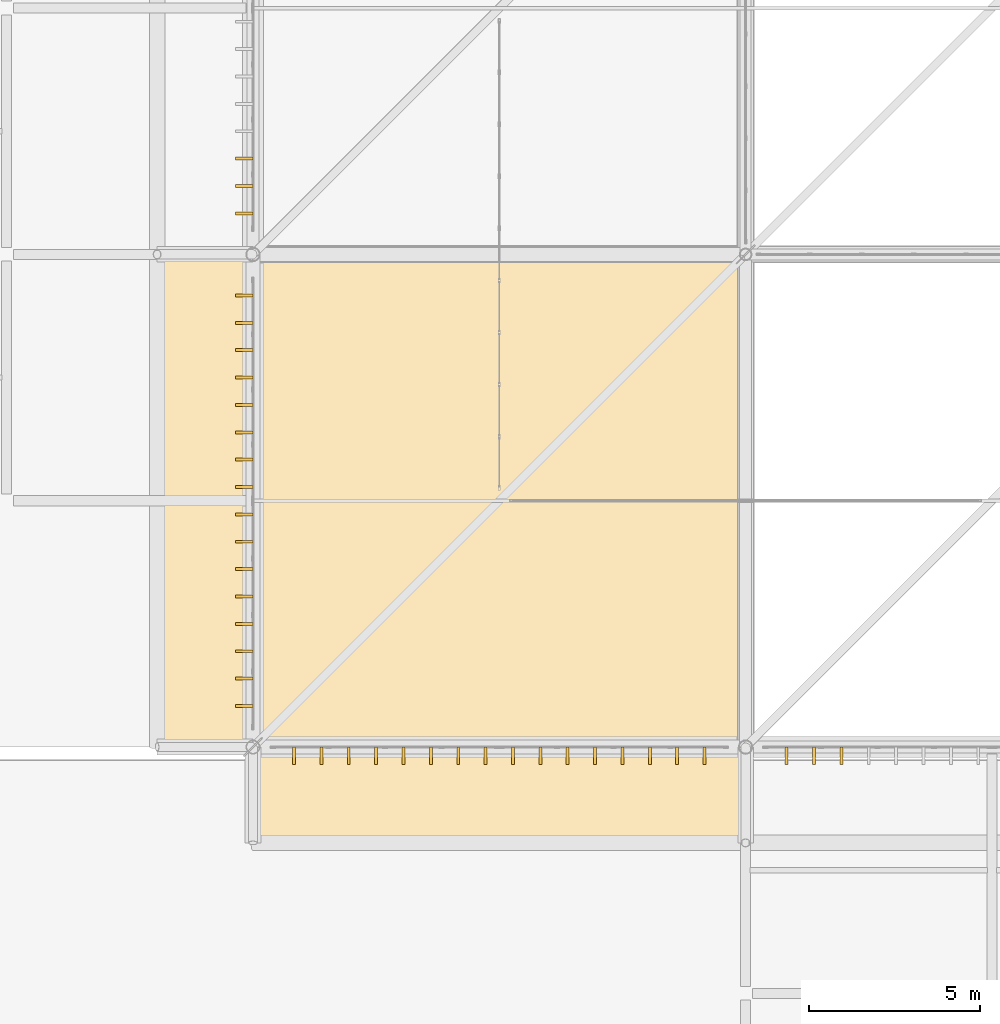
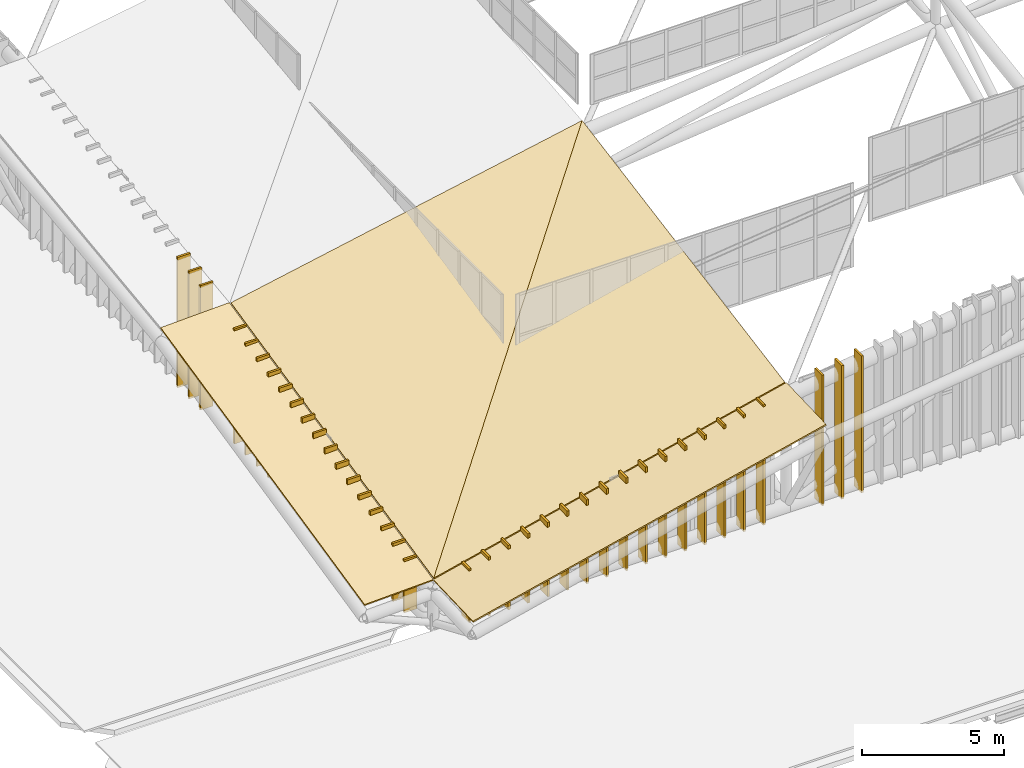
# One storey, part 385 of 397: 42 coverings.
"""IFC4 building model written with IfcOpenShell, lengths in metres."""

from ifc_helpers import new_model, si_unit, direction, frame, origin, origin_2d, place, context, subcontext, project, spatial, polyline, rectangle, outline, extrude, material, layer, layer_set, type_object, element, save


model = new_model("IFC4")

# Units and contexts
model_context = context("Model", 3, precision=1e-05, world=origin(), true_north=direction((0.0, 1.0)))
body_context = subcontext(model_context, "Body", "Model", "MODEL_VIEW")
ifc_project = project(units=[si_unit("LENGTHUNIT", "METRE"), si_unit("AREAUNIT", "SQUARE_METRE"), si_unit("VOLUMEUNIT", "CUBIC_METRE"), si_unit("PLANEANGLEUNIT", "RADIAN"), si_unit("MASSUNIT", "GRAM", prefix="KILO")], contexts=[model_context])

# Site, building, storey
site_placement = place(None, origin())
site = spatial("IfcSite", under=ifc_project, at=site_placement, CompositionType="ELEMENT")
building_placement = place(site_placement, origin())
building = spatial("IfcBuilding", under=site, at=building_placement, Name="Qandorah Velis Arena", CompositionType="ELEMENT")
storey_placement = place(building_placement, frame((0.0, 0.0, 27.5)))
storey = spatial("IfcBuildingStorey", under=building, at=storey_placement, Name="RF", CompositionType="ELEMENT", Elevation=27.5)

# Coverings
ifc_material_1 = material(Name="Champagne-bronze anodized aluminium 6063-T6", Category="aluminium")
ifc_layer_1 = layer(ifc_material_1, 0.0849609375)
ifc_layer_set_1 = layer_set([ifc_layer_1], Name="Champagne-bronze anodized aluminium 6063-T6")
covering_type_1 = type_object("IfcCoveringType", Name="ARC-COV-FIN520", PredefinedType="CLADDING", material=ifc_layer_set_1)
covering_1_placement = place(storey_placement, frame((14.14501953125, 15.60009765625, -0.01025390625), z_axis=(0.0, 0.0, 1.0), x_axis=(1.0, 0.0, 0.0)))
element("IfcCovering", 1, at=covering_1_placement, inside=storey, type_object=covering_type_1, Name="Arched crown champagne-bronze solar fin 1.1.1", PredefinedType="CLADDING", context=body_context, shape_type="SweptSolid", body=[
    extrude(rectangle(XDim=0.52001953125, YDim=0.0849609375, at=origin_2d()), origin(), (0.0, 0.0, 1.0), 2.290283203125),
])
covering_2_placement = place(storey_placement, frame((14.14501953125, 16.39990234375, -0.010009765625), z_axis=(0.0, 0.0, 1.0), x_axis=(1.0, 0.0, 0.0)))
element("IfcCovering", 2, at=covering_2_placement, inside=storey, type_object=covering_type_1, Name="Arched crown champagne-bronze solar fin 1.1.2", PredefinedType="CLADDING", context=body_context, shape_type="SweptSolid", body=[
    extrude(rectangle(XDim=0.52001953125, YDim=0.0849609375, at=origin_2d()), origin(), (0.0, 0.0, 1.0), 2.50341796875),
])
covering_3_placement = place(storey_placement, frame((14.14501953125, 17.199951171875, -0.009765625), z_axis=(0.0, 0.0, 1.0), x_axis=(1.0, 0.0, 0.0)))
element("IfcCovering", 3, at=covering_3_placement, inside=storey, type_object=covering_type_1, Name="Arched crown champagne-bronze solar fin 1.1.3", PredefinedType="CLADDING", context=body_context, shape_type="SweptSolid", body=[
    extrude(rectangle(XDim=0.52001953125, YDim=0.0849609375, at=origin_2d()), origin(), (0.0, 0.0, 1.0), 2.711181640625),
])
covering_4_placement = place(storey_placement, frame((14.14501953125, 18.0, -0.009765625), z_axis=(0.0, 0.0, 1.0), x_axis=(1.0, 0.0, 0.0)))
element("IfcCovering", 4, at=covering_4_placement, inside=storey, type_object=covering_type_1, Name="Arched crown champagne-bronze solar fin 1.1.4", PredefinedType="CLADDING", context=body_context, shape_type="SweptSolid", body=[
    extrude(rectangle(XDim=0.52001953125, YDim=0.0849609375, at=origin_2d()), origin(), (0.0, 0.0, 1.0), 2.913818359375),
])
covering_5_placement = place(storey_placement, frame((14.14501953125, 18.800048828125, -0.01025390625), z_axis=(0.0, 0.0, 1.0), x_axis=(1.0, 0.0, 0.0)))
element("IfcCovering", 5, at=covering_5_placement, inside=storey, type_object=covering_type_1, Name="Arched crown champagne-bronze solar fin 1.1.5", PredefinedType="CLADDING", context=body_context, shape_type="SweptSolid", body=[
    extrude(rectangle(XDim=0.52001953125, YDim=0.0849609375, at=origin_2d()), origin(), (0.0, 0.0, 1.0), 3.111083984375),
])
covering_6_placement = place(storey_placement, frame((14.14501953125, 19.60009765625, -0.010009765625), z_axis=(0.0, 0.0, 1.0), x_axis=(1.0, 0.0, 0.0)))
element("IfcCovering", 6, at=covering_6_placement, inside=storey, type_object=covering_type_1, Name="Arched crown champagne-bronze solar fin 1.1.6", PredefinedType="CLADDING", context=body_context, shape_type="SweptSolid", body=[
    extrude(rectangle(XDim=0.52001953125, YDim=0.0849609375, at=origin_2d()), origin(), (0.0, 0.0, 1.0), 3.30322265625),
])
covering_7_placement = place(storey_placement, frame((14.14501953125, 20.39990234375, -0.01025390625), z_axis=(0.0, 0.0, 1.0), x_axis=(1.0, 0.0, 0.0)))
element("IfcCovering", 7, at=covering_7_placement, inside=storey, type_object=covering_type_1, Name="Arched crown champagne-bronze solar fin 1.1.7", PredefinedType="CLADDING", context=body_context, shape_type="SweptSolid", body=[
    extrude(rectangle(XDim=0.52001953125, YDim=0.0849609375, at=origin_2d()), origin(), (0.0, 0.0, 1.0), 3.490478515625),
])
covering_8_placement = place(storey_placement, frame((14.14501953125, 21.199951171875, -0.01025390625), z_axis=(0.0, 0.0, 1.0), x_axis=(1.0, 0.0, 0.0)))
element("IfcCovering", 8, at=covering_8_placement, inside=storey, type_object=covering_type_1, Name="Arched crown champagne-bronze solar fin 1.1.8", PredefinedType="CLADDING", context=body_context, shape_type="SweptSolid", body=[
    extrude(rectangle(XDim=0.52001953125, YDim=0.0849609375, at=origin_2d()), origin(), (0.0, 0.0, 1.0), 3.672607421875),
])
covering_9_placement = place(storey_placement, frame((14.14501953125, 22.0, -0.010009765625), z_axis=(0.0, 0.0, 1.0), x_axis=(1.0, 0.0, 0.0)))
element("IfcCovering", 9, at=covering_9_placement, inside=storey, type_object=covering_type_1, Name="Arched crown champagne-bronze solar fin 1.1.9", PredefinedType="CLADDING", context=body_context, shape_type="SweptSolid", body=[
    extrude(rectangle(XDim=0.52001953125, YDim=0.0849609375, at=origin_2d()), origin(), (0.0, 0.0, 1.0), 3.849609375),
])
covering_10_placement = place(storey_placement, frame((14.14501953125, 22.800048828125, -0.010009765625), z_axis=(0.0, 0.0, 1.0), x_axis=(1.0, 0.0, 0.0)))
element("IfcCovering", 10, at=covering_10_placement, inside=storey, type_object=covering_type_1, Name="Arched crown champagne-bronze solar fin 1.1.10", PredefinedType="CLADDING", context=body_context, shape_type="SweptSolid", body=[
    extrude(rectangle(XDim=0.52001953125, YDim=0.0849609375, at=origin_2d()), origin(), (0.0, 0.0, 1.0), 4.02197265625),
])
covering_11_placement = place(storey_placement, frame((14.14501953125, 23.60009765625, -0.01025390625), z_axis=(0.0, 0.0, 1.0), x_axis=(1.0, 0.0, 0.0)))
element("IfcCovering", 11, at=covering_11_placement, inside=storey, type_object=covering_type_1, Name="Arched crown champagne-bronze solar fin 1.1.11", PredefinedType="CLADDING", context=body_context, shape_type="SweptSolid", body=[
    extrude(rectangle(XDim=0.52001953125, YDim=0.0849609375, at=origin_2d()), origin(), (0.0, 0.0, 1.0), 4.189697265625),
])
covering_12_placement = place(storey_placement, frame((14.14501953125, 24.39990234375, -0.010009765625), z_axis=(0.0, 0.0, 1.0), x_axis=(1.0, 0.0, 0.0)))
element("IfcCovering", 12, at=covering_12_placement, inside=storey, type_object=covering_type_1, Name="Arched crown champagne-bronze solar fin 1.1.12", PredefinedType="CLADDING", context=body_context, shape_type="SweptSolid", body=[
    extrude(rectangle(XDim=0.52001953125, YDim=0.0849609375, at=origin_2d()), origin(), (0.0, 0.0, 1.0), 4.3525390625),
])
covering_13_placement = place(storey_placement, frame((14.14501953125, 25.199951171875, -0.010009765625), z_axis=(0.0, 0.0, 1.0), x_axis=(1.0, 0.0, 0.0)))
element("IfcCovering", 13, at=covering_13_placement, inside=storey, type_object=covering_type_1, Name="Arched crown champagne-bronze solar fin 1.1.13", PredefinedType="CLADDING", context=body_context, shape_type="SweptSolid", body=[
    extrude(rectangle(XDim=0.52001953125, YDim=0.0849609375, at=origin_2d()), origin(), (0.0, 0.0, 1.0), 4.5107421875),
])
covering_14_placement = place(storey_placement, frame((14.14501953125, 26.0, -0.010009765625), z_axis=(0.0, 0.0, 1.0), x_axis=(1.0, 0.0, 0.0)))
element("IfcCovering", 14, at=covering_14_placement, inside=storey, type_object=covering_type_1, Name="Arched crown champagne-bronze solar fin 1.1.14", PredefinedType="CLADDING", context=body_context, shape_type="SweptSolid", body=[
    extrude(rectangle(XDim=0.52001953125, YDim=0.0849609375, at=origin_2d()), origin(), (0.0, 0.0, 1.0), 4.66455078125),
])
covering_15_placement = place(storey_placement, frame((14.14501953125, 26.800048828125, -0.010009765625), z_axis=(0.0, 0.0, 1.0), x_axis=(1.0, 0.0, 0.0)))
element("IfcCovering", 15, at=covering_15_placement, inside=storey, type_object=covering_type_1, Name="Arched crown champagne-bronze solar fin 1.1.15", PredefinedType="CLADDING", context=body_context, shape_type="SweptSolid", body=[
    extrude(rectangle(XDim=0.52001953125, YDim=0.0849609375, at=origin_2d()), origin(), (0.0, 0.0, 1.0), 4.81396484375),
])
covering_16_placement = place(storey_placement, frame((14.14501953125, 27.60009765625, -0.010009765625), z_axis=(0.0, 0.0, 1.0), x_axis=(1.0, 0.0, 0.0)))
element("IfcCovering", 16, at=covering_16_placement, inside=storey, type_object=covering_type_1, Name="Arched crown champagne-bronze solar fin 1.1.16", PredefinedType="CLADDING", context=body_context, shape_type="SweptSolid", body=[
    extrude(rectangle(XDim=0.52001953125, YDim=0.0849609375, at=origin_2d()), origin(), (0.0, 0.0, 1.0), 4.958984375),
])
covering_17_placement = place(storey_placement, frame((14.14501953125, 30.0, -0.010009765625), z_axis=(0.0, 0.0, 1.0), x_axis=(1.0, 0.0, 0.0)))
element("IfcCovering", 17, at=covering_17_placement, inside=storey, type_object=covering_type_1, Name="Arched crown champagne-bronze solar fin 1.2.1", PredefinedType="CLADDING", context=body_context, shape_type="SweptSolid", body=[
    extrude(rectangle(XDim=0.52001953125, YDim=0.0849609375, at=origin_2d()), origin(), (0.0, 0.0, 1.0), 5.3681640625),
])
covering_18_placement = place(storey_placement, frame((14.14501953125, 30.800048828125, -0.009765625), z_axis=(0.0, 0.0, 1.0), x_axis=(1.0, 0.0, 0.0)))
element("IfcCovering", 18, at=covering_18_placement, inside=storey, type_object=covering_type_1, Name="Arched crown champagne-bronze solar fin 1.2.2", PredefinedType="CLADDING", context=body_context, shape_type="SweptSolid", body=[
    extrude(rectangle(XDim=0.52001953125, YDim=0.0849609375, at=origin_2d()), origin(), (0.0, 0.0, 1.0), 5.496337890625),
])
covering_19_placement = place(storey_placement, frame((14.14501953125, 31.60009765625, -0.010009765625), z_axis=(0.0, 0.0, 1.0), x_axis=(1.0, 0.0, 0.0)))
element("IfcCovering", 19, at=covering_19_placement, inside=storey, type_object=covering_type_1, Name="Arched crown champagne-bronze solar fin 1.2.3", PredefinedType="CLADDING", context=body_context, shape_type="SweptSolid", body=[
    extrude(rectangle(XDim=0.52001953125, YDim=0.0849609375, at=origin_2d()), origin(), (0.0, 0.0, 1.0), 5.62060546875),
])
covering_20_placement = place(storey_placement, frame((15.60009765625, 14.14501953125, -0.010009765625), z_axis=(0.0, 0.0, 1.0), x_axis=(1.0, 0.0, 0.0)))
element("IfcCovering", 20, at=covering_20_placement, inside=storey, type_object=covering_type_1, Name="Arched crown champagne-bronze solar fin 3.1.1", PredefinedType="CLADDING", context=body_context, shape_type="SweptSolid", body=[
    extrude(rectangle(XDim=0.0849609375, YDim=0.52001953125, at=origin_2d()), origin(), (0.0, 0.0, 1.0), 2.3173828125),
])
covering_21_placement = place(storey_placement, frame((16.39990234375, 14.14501953125, -0.009765625), z_axis=(0.0, 0.0, 1.0), x_axis=(1.0, 0.0, 0.0)))
element("IfcCovering", 21, at=covering_21_placement, inside=storey, type_object=covering_type_1, Name="Arched crown champagne-bronze solar fin 3.1.2", PredefinedType="CLADDING", context=body_context, shape_type="SweptSolid", body=[
    extrude(rectangle(XDim=0.0849609375, YDim=0.52001953125, at=origin_2d()), origin(), (0.0, 0.0, 1.0), 2.548095703125),
])
covering_22_placement = place(storey_placement, frame((17.199951171875, 14.14501953125, -0.009765625), z_axis=(0.0, 0.0, 1.0), x_axis=(1.0, 0.0, 0.0)))
element("IfcCovering", 22, at=covering_22_placement, inside=storey, type_object=covering_type_1, Name="Arched crown champagne-bronze solar fin 3.1.3", PredefinedType="CLADDING", context=body_context, shape_type="SweptSolid", body=[
    extrude(rectangle(XDim=0.0849609375, YDim=0.52001953125, at=origin_2d()), origin(), (0.0, 0.0, 1.0), 2.772705078125),
])
covering_23_placement = place(storey_placement, frame((18.0, 14.14501953125, -0.010009765625), z_axis=(0.0, 0.0, 1.0), x_axis=(1.0, 0.0, 0.0)))
element("IfcCovering", 23, at=covering_23_placement, inside=storey, type_object=covering_type_1, Name="Arched crown champagne-bronze solar fin 3.1.4", PredefinedType="CLADDING", context=body_context, shape_type="SweptSolid", body=[
    extrude(rectangle(XDim=0.0849609375, YDim=0.52001953125, at=origin_2d()), origin(), (0.0, 0.0, 1.0), 2.99169921875),
])
covering_24_placement = place(storey_placement, frame((18.800048828125, 14.14501953125, -0.010009765625), z_axis=(0.0, 0.0, 1.0), x_axis=(1.0, 0.0, 0.0)))
element("IfcCovering", 24, at=covering_24_placement, inside=storey, type_object=covering_type_1, Name="Arched crown champagne-bronze solar fin 3.1.5", PredefinedType="CLADDING", context=body_context, shape_type="SweptSolid", body=[
    extrude(rectangle(XDim=0.0849609375, YDim=0.52001953125, at=origin_2d()), origin(), (0.0, 0.0, 1.0), 3.20458984375),
])
covering_25_placement = place(storey_placement, frame((19.60009765625, 14.14501953125, -0.010009765625), z_axis=(0.0, 0.0, 1.0), x_axis=(1.0, 0.0, 0.0)))
element("IfcCovering", 25, at=covering_25_placement, inside=storey, type_object=covering_type_1, Name="Arched crown champagne-bronze solar fin 3.1.6", PredefinedType="CLADDING", context=body_context, shape_type="SweptSolid", body=[
    extrude(rectangle(XDim=0.0849609375, YDim=0.52001953125, at=origin_2d()), origin(), (0.0, 0.0, 1.0), 3.41162109375),
])
covering_26_placement = place(storey_placement, frame((20.39990234375, 14.14501953125, -0.010009765625), z_axis=(0.0, 0.0, 1.0), x_axis=(1.0, 0.0, 0.0)))
element("IfcCovering", 26, at=covering_26_placement, inside=storey, type_object=covering_type_1, Name="Arched crown champagne-bronze solar fin 3.1.7", PredefinedType="CLADDING", context=body_context, shape_type="SweptSolid", body=[
    extrude(rectangle(XDim=0.0849609375, YDim=0.52001953125, at=origin_2d()), origin(), (0.0, 0.0, 1.0), 3.61328125),
])
covering_27_placement = place(storey_placement, frame((21.199951171875, 14.14501953125, -0.010009765625), z_axis=(0.0, 0.0, 1.0), x_axis=(1.0, 0.0, 0.0)))
element("IfcCovering", 27, at=covering_27_placement, inside=storey, type_object=covering_type_1, Name="Arched crown champagne-bronze solar fin 3.1.8", PredefinedType="CLADDING", context=body_context, shape_type="SweptSolid", body=[
    extrude(rectangle(XDim=0.0849609375, YDim=0.52001953125, at=origin_2d()), origin(), (0.0, 0.0, 1.0), 3.80908203125),
])
covering_28_placement = place(storey_placement, frame((22.0, 14.14501953125, -0.01025390625), z_axis=(0.0, 0.0, 1.0), x_axis=(1.0, 0.0, 0.0)))
element("IfcCovering", 28, at=covering_28_placement, inside=storey, type_object=covering_type_1, Name="Arched crown champagne-bronze solar fin 3.1.9", PredefinedType="CLADDING", context=body_context, shape_type="SweptSolid", body=[
    extrude(rectangle(XDim=0.0849609375, YDim=0.52001953125, at=origin_2d()), origin(), (0.0, 0.0, 1.0), 3.999755859375),
])
covering_29_placement = place(storey_placement, frame((22.800048828125, 14.14501953125, -0.009765625), z_axis=(0.0, 0.0, 1.0), x_axis=(1.0, 0.0, 0.0)))
element("IfcCovering", 29, at=covering_29_placement, inside=storey, type_object=covering_type_1, Name="Arched crown champagne-bronze solar fin 3.1.10", PredefinedType="CLADDING", context=body_context, shape_type="SweptSolid", body=[
    extrude(rectangle(XDim=0.0849609375, YDim=0.52001953125, at=origin_2d()), origin(), (0.0, 0.0, 1.0), 4.184814453125),
])
covering_30_placement = place(storey_placement, frame((23.60009765625, 14.14501953125, -0.010009765625), z_axis=(0.0, 0.0, 1.0), x_axis=(1.0, 0.0, 0.0)))
element("IfcCovering", 30, at=covering_30_placement, inside=storey, type_object=covering_type_1, Name="Arched crown champagne-bronze solar fin 3.1.11", PredefinedType="CLADDING", context=body_context, shape_type="SweptSolid", body=[
    extrude(rectangle(XDim=0.0849609375, YDim=0.52001953125, at=origin_2d()), origin(), (0.0, 0.0, 1.0), 4.36474609375),
])
covering_31_placement = place(storey_placement, frame((24.39990234375, 14.14501953125, -0.010009765625), z_axis=(0.0, 0.0, 1.0), x_axis=(1.0, 0.0, 0.0)))
element("IfcCovering", 31, at=covering_31_placement, inside=storey, type_object=covering_type_1, Name="Arched crown champagne-bronze solar fin 3.1.12", PredefinedType="CLADDING", context=body_context, shape_type="SweptSolid", body=[
    extrude(rectangle(XDim=0.0849609375, YDim=0.52001953125, at=origin_2d()), origin(), (0.0, 0.0, 1.0), 4.53955078125),
])
covering_32_placement = place(storey_placement, frame((25.199951171875, 14.14501953125, -0.010009765625), z_axis=(0.0, 0.0, 1.0), x_axis=(1.0, 0.0, 0.0)))
element("IfcCovering", 32, at=covering_32_placement, inside=storey, type_object=covering_type_1, Name="Arched crown champagne-bronze solar fin 3.1.13", PredefinedType="CLADDING", context=body_context, shape_type="SweptSolid", body=[
    extrude(rectangle(XDim=0.0849609375, YDim=0.52001953125, at=origin_2d()), origin(), (0.0, 0.0, 1.0), 4.708984375),
])
covering_33_placement = place(storey_placement, frame((26.0, 14.14501953125, -0.009765625), z_axis=(0.0, 0.0, 1.0), x_axis=(1.0, 0.0, 0.0)))
element("IfcCovering", 33, at=covering_33_placement, inside=storey, type_object=covering_type_1, Name="Arched crown champagne-bronze solar fin 3.1.14", PredefinedType="CLADDING", context=body_context, shape_type="SweptSolid", body=[
    extrude(rectangle(XDim=0.0849609375, YDim=0.52001953125, at=origin_2d()), origin(), (0.0, 0.0, 1.0), 4.873779296875),
])
covering_34_placement = place(storey_placement, frame((26.800048828125, 14.14501953125, -0.01025390625), z_axis=(0.0, 0.0, 1.0), x_axis=(1.0, 0.0, 0.0)))
element("IfcCovering", 34, at=covering_34_placement, inside=storey, type_object=covering_type_1, Name="Arched crown champagne-bronze solar fin 3.1.15", PredefinedType="CLADDING", context=body_context, shape_type="SweptSolid", body=[
    extrude(rectangle(XDim=0.0849609375, YDim=0.52001953125, at=origin_2d()), origin(), (0.0, 0.0, 1.0), 5.033447265625),
])
covering_35_placement = place(storey_placement, frame((27.60009765625, 14.14501953125, -0.010009765625), z_axis=(0.0, 0.0, 1.0), x_axis=(1.0, 0.0, 0.0)))
element("IfcCovering", 35, at=covering_35_placement, inside=storey, type_object=covering_type_1, Name="Arched crown champagne-bronze solar fin 3.1.16", PredefinedType="CLADDING", context=body_context, shape_type="SweptSolid", body=[
    extrude(rectangle(XDim=0.0849609375, YDim=0.52001953125, at=origin_2d()), origin(), (0.0, 0.0, 1.0), 5.1884765625),
])
covering_36_placement = place(storey_placement, frame((30.0, 14.14501953125, -0.010009765625), z_axis=(0.0, 0.0, 1.0), x_axis=(1.0, 0.0, 0.0)))
element("IfcCovering", 36, at=covering_36_placement, inside=storey, type_object=covering_type_1, Name="Arched crown champagne-bronze solar fin 3.2.1", PredefinedType="CLADDING", context=body_context, shape_type="SweptSolid", body=[
    extrude(rectangle(XDim=0.0849609375, YDim=0.52001953125, at=origin_2d()), origin(), (0.0, 0.0, 1.0), 5.625),
])
covering_37_placement = place(storey_placement, frame((30.800048828125, 14.14501953125, -0.01025390625), z_axis=(0.0, 0.0, 1.0), x_axis=(1.0, 0.0, 0.0)))
element("IfcCovering", 37, at=covering_37_placement, inside=storey, type_object=covering_type_1, Name="Arched crown champagne-bronze solar fin 3.2.2", PredefinedType="CLADDING", context=body_context, shape_type="SweptSolid", body=[
    extrude(rectangle(XDim=0.0849609375, YDim=0.52001953125, at=origin_2d()), origin(), (0.0, 0.0, 1.0), 5.761474609375),
])
covering_38_placement = place(storey_placement, frame((31.60009765625, 14.14501953125, -0.010009765625), z_axis=(0.0, 0.0, 1.0), x_axis=(1.0, 0.0, 0.0)))
element("IfcCovering", 38, at=covering_38_placement, inside=storey, type_object=covering_type_1, Name="Arched crown champagne-bronze solar fin 3.2.3", PredefinedType="CLADDING", context=body_context, shape_type="SweptSolid", body=[
    extrude(rectangle(XDim=0.0849609375, YDim=0.52001953125, at=origin_2d()), origin(), (0.0, 0.0, 1.0), 5.8935546875),
])
ifc_material_2 = material(Name="Insulated high-albedo standing-seam aluminium roofing", Category="aluminium")
ifc_layer_2 = layer(ifc_material_2, 0.080078125)
ifc_layer_set_2 = layer_set([ifc_layer_2], Name="Insulated high-albedo standing-seam aluminium roofing")
covering_type_2 = type_object("IfcCoveringType", Name="ARC-COV-ROOF", PredefinedType="ROOFING", material=ifc_layer_set_2)
covering_39_placement = place(storey_placement, frame((11.60009765625, 14.39990234375, 1.85009765625), z_axis=(-0.034789896329, -0.217329693859, 0.975478071143), x_axis=(0.999364629289, 0.0, 0.035641797469)))
element("IfcCovering", 39, at=covering_39_placement, inside=storey, type_object=covering_type_2, Name="Overhanging arena eave roof panel W-1", PredefinedType="ROOFING", context=body_context, shape_type="SweptSolid", body=[
    extrude(outline(polyline([(0.0, 0.0), (2.801584732384449, 3.469446951953614e-18), (2.915932598728526, 14.752763264271904), (0.11434786634407708, 14.752763264271904), (0.0, 0.0)])), origin(), (0.0, 0.0, -1.0), 0.06005859375),
])
covering_40_placement = place(storey_placement, frame((14.39990234375, 11.60009765625, 1.85009765625), z_axis=(-0.23296910774, -0.034661082619, 0.971866248097), x_axis=(0.97245057016, 0.0, 0.233109177415)))
element("IfcCovering", 40, at=covering_40_placement, inside=storey, type_object=covering_type_2, Name="Overhanging arena eave roof panel S-1", PredefinedType="ROOFING", context=body_context, shape_type="SweptSolid", body=[
    extrude(outline(polyline([(0.0, 0.0), (14.808101230280736, 0.0), (14.831378001170116, 2.8014880340038233), (0.02327677088938147, 2.8014880340038233), (0.0, 0.0)])), origin(), (0.0, 0.0, -1.0), 0.06005859375),
])
covering_41_placement = place(storey_placement, frame((14.43994140625, 14.43994140625, 1.973388671875), z_axis=(-0.22942808237, -0.173899694372, 0.957664686264), x_axis=(0.972482034513, 0.0, 0.232977879959)))
element("IfcCovering", 41, at=covering_41_placement, inside=storey, type_object=covering_type_2, Name="Arena vaulted roof covering 0.0A", PredefinedType="ROOFING", context=body_context, shape_type="SweptSolid", body=[
    extrude(outline(polyline([(0.0, 0.0), (14.725278052617616, 1.1102230246251565e-16), (15.331100171621333, 14.541633843481067), (0.0, 0.0)])), origin(), (0.0, 0.0, -1.0), 0.054931640625),
])
covering_42_placement = place(storey_placement, frame((14.43994140625, 14.43994140625, 1.973388671875), z_axis=(-0.190217368813, -0.213367588826, 0.958275338637), x_axis=(0.677693795842, 0.677693795842, 0.285415903822)))
element("IfcCovering", 42, at=covering_42_placement, inside=storey, type_object=covering_type_2, Name="Arena vaulted roof covering 0.0B", PredefinedType="ROOFING", context=body_context, shape_type="SweptSolid", body=[
    extrude(outline(polyline([(0.0, 0.0), (21.130587954672762, 1.6653345369377348e-16), (10.61466340308295, 10.127174405826946), (0.0, 0.0)])), origin(), (0.0, 0.0, -1.0), 0.054931640625),
])

save(model, "model.ifc")
